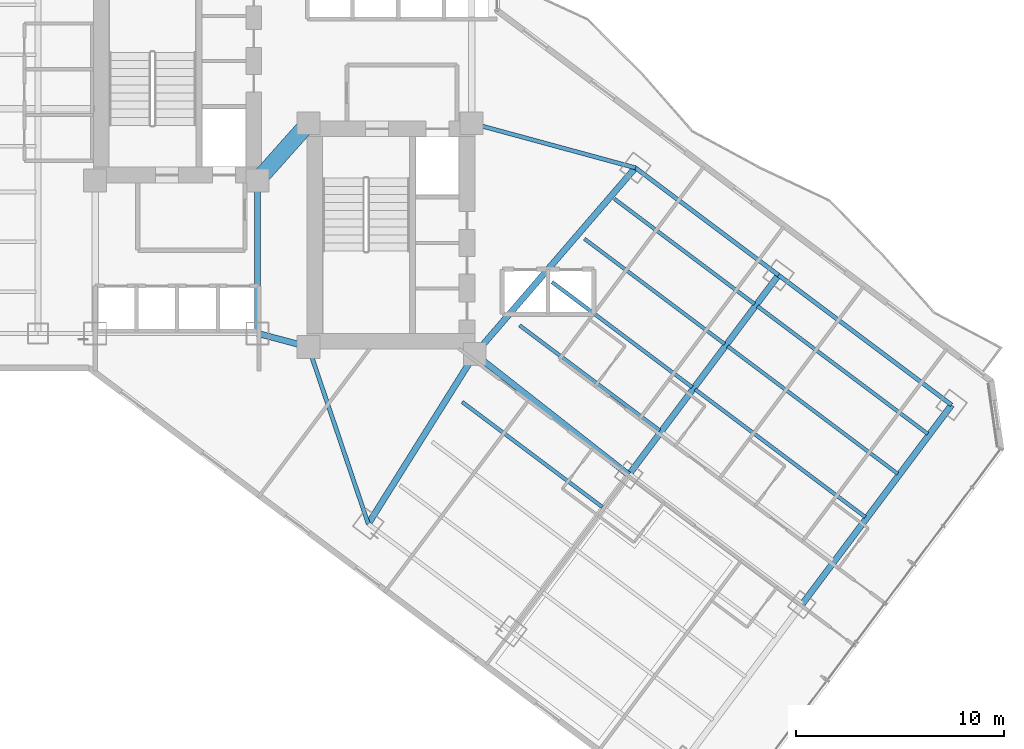
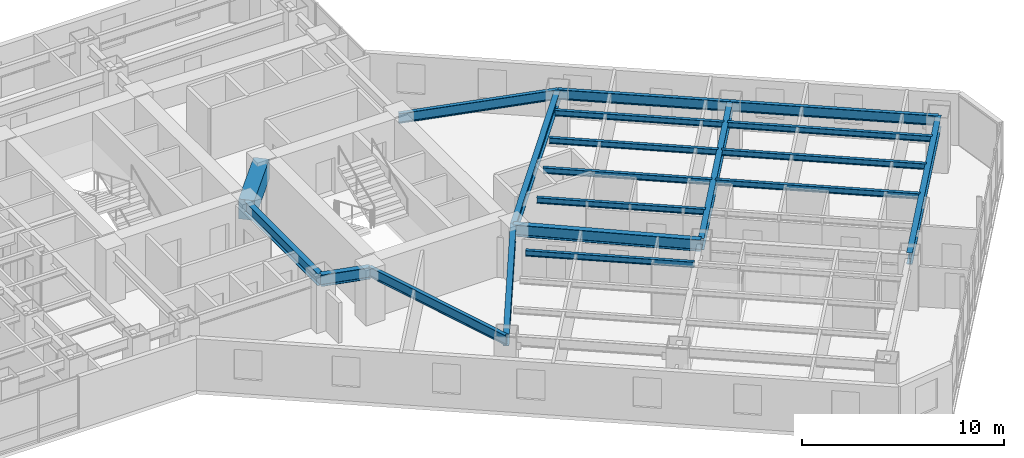
# One storey, part 11 of 37: 20 beams.
"""IFC4 building model written with IfcOpenShell, lengths in metres."""

import ifcopenshell
import ifcopenshell.guid

model = None  # the IFC model being written
_history = None  # IfcOwnerHistory: only IFC2X3 demands one
_inside = {}  # id of a spatial element -> (the spatial element, [elements in it])
_under = {}  # id of a project, library or spatial element -> (it, [spatial elements below it])
_declared = {}  # id of a project -> (the project, [libraries it declares])
_typed = {}  # id of a type object -> (the type object, [elements of that type])
_made_of = {}  # id of a material, layer set ... -> (it, [elements and type objects made of it])


def new_model(schema):
    """Start an empty IFC model of exactly this schema.

    Asked for "IFC4X3", IfcOpenShell would pick the latest addendum, in which some entities
    have other attributes; the version numbers below select the first issue.
    IFC2X3 requires an IfcOwnerHistory on every rooted entity: one is made here for all.
    """
    global model, _history
    if schema == "IFC4X3":
        model = ifcopenshell.file(schema_version=(4, 3, 0, 0))
    else:
        model = ifcopenshell.file(schema=schema)
    _inside.clear()
    _under.clear()
    _declared.clear()
    _typed.clear()
    _made_of.clear()
    _history = None
    if model.schema == "IFC2X3":
        org = make("IfcOrganization", Name="unknown")
        user = make(
            "IfcPersonAndOrganization",
            ThePerson=make("IfcPerson", FamilyName="unknown"),
            TheOrganization=org,
        )
        app = make(
            "IfcApplication",
            ApplicationDeveloper=org,
            Version="unknown",
            ApplicationFullName="unknown",
            ApplicationIdentifier="unknown",
        )
        _history = make(
            "IfcOwnerHistory",
            OwningUser=user,
            OwningApplication=app,
            ChangeAction="ADDED",
            CreationDate=0,
        )
    return model


def make(cls, **values):
    """One entity of the class cls with the attributes given. An attribute that is None is left unset."""
    return model.create_entity(
        cls, **{name: value for name, value in values.items() if value is not None}
    )


def rooted(cls, **values):
    """An entity with a GlobalId (a new one), such as an element, a storey or a relation."""
    return make(cls, GlobalId=ifcopenshell.guid.new(), OwnerHistory=_history, **values)


def si_unit(unit_type, name, prefix=None):
    """IfcSIUnit, for example si_unit("LENGTHUNIT", "METRE", prefix="MILLI")."""
    return make("IfcSIUnit", UnitType=unit_type, Prefix=prefix, Name=name)


def assignment(units):
    """IfcUnitAssignment: the units of a project."""
    return None if units is None else make("IfcUnitAssignment", Units=units)


def point(xyz):
    """IfcCartesianPoint."""
    return None if xyz is None else make("IfcCartesianPoint", Coordinates=xyz)


def direction(xyz):
    """IfcDirection."""
    return None if xyz is None else make("IfcDirection", DirectionRatios=xyz)


def frame(location, z_axis=None, x_axis=None):
    """IfcAxis2Placement3D, a coordinate frame: its origin and axes. An axis left out is left unset."""
    return make(
        "IfcAxis2Placement3D",
        Location=point(location),
        Axis=direction(z_axis),
        RefDirection=direction(x_axis),
    )


def frame_2d(location, x_axis=None):
    """IfcAxis2Placement2D, a coordinate frame in the plane: its origin and x axis."""
    return make(
        "IfcAxis2Placement2D", Location=point(location), RefDirection=direction(x_axis)
    )


def origin():
    """The frame at (0, 0, 0) with its axes left unset."""
    return frame((0.0, 0.0, 0.0))


def origin_2d():
    """The frame at (0, 0) in the plane with its x axis left unset."""
    return frame_2d((0.0, 0.0))


def place(relative_to, where):
    """IfcLocalPlacement: puts the frame where relative to a parent placement (None: the world)."""
    return make(
        "IfcLocalPlacement", PlacementRelTo=relative_to, RelativePlacement=where
    )


def context(
    kind, dimensions, precision=None, world=None, true_north=None, identifier=None
):
    """IfcGeometricRepresentationContext, for example the 3D "Model" context."""
    return make(
        "IfcGeometricRepresentationContext",
        ContextIdentifier=identifier,
        ContextType=kind,
        CoordinateSpaceDimension=dimensions,
        Precision=precision,
        WorldCoordinateSystem=world,
        TrueNorth=true_north,
    )


def subcontext(parent, identifier, kind, view, scale=None):
    """IfcGeometricRepresentationSubContext, for example "Body" below "Model"."""
    return make(
        "IfcGeometricRepresentationSubContext",
        ContextIdentifier=identifier,
        ContextType=kind,
        ParentContext=parent,
        TargetScale=scale,
        TargetView=view,
    )


def project(units=None, contexts=None):
    """IfcProject with its units and contexts."""
    return rooted(
        "IfcProject",
        Name="project",
        RepresentationContexts=contexts,
        UnitsInContext=assignment(units),
    )


def spatial(cls, under=None, at=None, **own):
    """A site, building, storey or space (cls), placed at a placement, below another one or the project."""
    s = rooted(cls, ObjectPlacement=at, **own)
    if under is not None:
        _under.setdefault(under.id(), (under, []))[1].append(s)
    return s


def profile(cls, at=None, kind="AREA", **sizes):
    """A parametric profile (cls). Its sizes go by their IFC names, for example OverallWidth=200.0."""
    return make(cls, ProfileType=kind, Position=at, **sizes)


def rectangle(**sizes):
    """IfcRectangleProfileDef."""
    return profile("IfcRectangleProfileDef", **sizes)


def i_section(**sizes):
    """IfcIShapeProfileDef."""
    return profile("IfcIShapeProfileDef", **sizes)


def extrude(swept, where, along, depth):
    """IfcExtrudedAreaSolid: the profile swept, set in the frame where, extruded along a direction by depth."""
    return make(
        "IfcExtrudedAreaSolid",
        SweptArea=swept,
        Position=where,
        ExtrudedDirection=direction(along),
        Depth=depth,
    )


def shape(context_of_items, identifier, shape_type, items):
    """IfcShapeRepresentation: the items that make up one representation, for example the "Body"."""
    return make(
        "IfcShapeRepresentation",
        ContextOfItems=context_of_items,
        RepresentationIdentifier=identifier,
        RepresentationType=shape_type,
        Items=items,
    )


def material(Name=None, Category=None):
    """IfcMaterial."""
    return make("IfcMaterial", Name=Name, Category=Category)


def material_profile(
    of_material, cross_section, Name=None, Category=None, Priority=None
):
    """IfcMaterialProfile: a cross section and its material."""
    return make(
        "IfcMaterialProfile",
        Name=Name,
        Material=of_material,
        Profile=cross_section,
        Priority=Priority,
        Category=Category,
    )


def profile_set(profiles, Name=None, composite=None):
    """IfcMaterialProfileSet."""
    return make(
        "IfcMaterialProfileSet",
        Name=Name,
        MaterialProfiles=profiles,
        CompositeProfile=composite,
    )


def made_of(thing, what):
    """Note that an element or type object is made of a material, layer set ...; save() writes the relation."""
    if what is not None:
        _made_of.setdefault(what.id(), (what, []))[1].append(thing)
    return thing


def type_object(cls, material=None, **own):
    """A type object (cls), such as IfcWallType, which elements share."""
    return made_of(rooted(cls, **own), material)


def element(
    cls,
    number,
    at=None,
    inside=None,
    cuts=None,
    type_object=None,
    material=None,
    context=None,
    identifier="Body",
    shape_type=None,
    held_by="IfcProductDefinitionShape",
    body=None,
    shapes=None,
    **own,
):
    """One element of the class cls, such as IfcWall. Its Tag is "e" and its number.

    at: its placement. inside: the storey or other place that contains it. cuts: it is an
    opening in that element (IfcRelVoidsElement). A single representation is given by context,
    identifier, shape_type and body (its items); several are given by shapes. held_by: the class
    of the entity that holds the representations. save() writes the other relations.
    """
    e = rooted(cls, Tag="e%d" % number, ObjectPlacement=at, **own)
    if body is not None:
        shapes = [shape(context, identifier, shape_type, body)]
    if shapes is not None:
        e.Representation = make(held_by, Representations=shapes)
    if inside is not None:
        _inside.setdefault(inside.id(), (inside, []))[1].append(e)
    if cuts is not None:
        rooted(
            "IfcRelVoidsElement", RelatingBuildingElement=cuts, RelatedOpeningElement=e
        )
    if type_object is not None:
        _typed.setdefault(type_object.id(), (type_object, []))[1].append(e)
    return made_of(e, material)


def aggregate(whole, parts):
    """IfcRelAggregates: a whole, such as a stair, and the parts it consists of."""
    return rooted("IfcRelAggregates", RelatingObject=whole, RelatedObjects=parts)


def save(model, path):
    """Write the relations noted so far, then the file.

    IfcRelAggregates (storeys below a building ...), IfcRelContainedInSpatialStructure (elements
    in a storey), IfcRelDefinesByType, IfcRelAssociatesMaterial and IfcRelDeclares: one each for
    every whole, place, type object, material and project.
    """
    for whole, parts in _under.values():
        aggregate(whole, parts)
    for where, things in _inside.values():
        rooted(
            "IfcRelContainedInSpatialStructure",
            RelatedElements=things,
            RelatingStructure=where,
        )
    for kind, things in _typed.values():
        rooted("IfcRelDefinesByType", RelatedObjects=things, RelatingType=kind)
    for what, things in _made_of.values():
        rooted("IfcRelAssociatesMaterial", RelatedObjects=things, RelatingMaterial=what)
    for by, libraries in _declared.values():
        rooted("IfcRelDeclares", RelatingContext=by, RelatedDefinitions=libraries)
    model.write(path)


model = new_model("IFC4")

# Units and contexts
model_context = context("Model", 3, precision=1e-05, world=origin(), true_north=direction((0.0, 1.0)))
body_context = subcontext(model_context, "Body", "Model", "MODEL_VIEW")
ifc_project = project(units=[si_unit("LENGTHUNIT", "METRE"), si_unit("AREAUNIT", "SQUARE_METRE"), si_unit("VOLUMEUNIT", "CUBIC_METRE"), si_unit("PLANEANGLEUNIT", "RADIAN"), si_unit("MASSUNIT", "GRAM", prefix="KILO")], contexts=[model_context])

# Site, building, storey
site_placement = place(None, origin())
site = spatial("IfcSite", under=ifc_project, at=site_placement, CompositionType="ELEMENT")
building_placement = place(site_placement, origin())
building = spatial("IfcBuilding", under=site, at=building_placement, Name="Hatsunagi Terrace Concourse", CompositionType="ELEMENT")
storey_placement = place(building_placement, frame((0.0, 0.0, 50.0)))
storey = spatial("IfcBuildingStorey", under=building, at=storey_placement, Name="L12", CompositionType="ELEMENT", Elevation=50.0)

# Beams
ifc_material_1 = material(Name="Concrete Fc60", Category="concrete")
ifc_material_profile_1 = material_profile(ifc_material_1, rectangle(XDim=0.800048828125, YDim=1.199951171875, at=origin_2d()), Name="RC-800x1200")
ifc_profile_set_1 = profile_set([ifc_material_profile_1], Name="Concrete Fc60")
beam_type_1 = type_object("IfcBeamType", Name="CoreCouplingBeam_RC_800x1200", PredefinedType="BEAM", material=ifc_profile_set_1)
beam_1_placement = place(storey_placement, frame((33.35009765625, 32.550048828125, 2.530029296875), z_axis=(0.665198651008, 0.746666427997, 0.0), x_axis=(-0.746666427997, 0.665198651008, 0.0)))
element("IfcBeam", 1, at=beam_1_placement, inside=storey, type_object=beam_type_1, Name="Beam CB-01 CB-L12-1", PredefinedType="BEAM", context=body_context, shape_type="SweptSolid", body=[
    extrude(rectangle(XDim=0.800048828125, YDim=1.199951171875, at=origin_2d()), origin(), (0.0, 0.0, 1.0), 3.68310546875),
])
ifc_material_2 = material(Name="Steel SN490B", Category="steel")
ifc_material_profile_2 = material_profile(ifc_material_2, i_section(OverallWidth=0.300048828125, OverallDepth=0.699951171875, WebThickness=0.012939453125, FlangeThickness=0.02392578125, FilletRadius=0.02197265625, at=origin_2d()), Name="H-700x300x13x24")
ifc_profile_set_2 = profile_set([ifc_material_profile_2], Name="Steel SN490B")
beam_type_2 = type_object("IfcBeamType", Name="HotelFloorGirder_H_700x300", PredefinedType="BEAM", material=ifc_profile_set_2)
beam_2_placement = place(storey_placement, frame((33.35009765625, 25.199951171875, 2.780029296875), z_axis=(0.0, 1.0, 0.0), x_axis=(-1.0, 0.0, 0.0)))
element("IfcBeam", 2, at=beam_2_placement, inside=storey, type_object=beam_type_2, Name="Beam G-04 BM-L12-K2CA", PredefinedType="BEAM", context=body_context, shape_type="SweptSolid", body=[
    extrude(i_section(OverallWidth=0.300048828125, OverallDepth=0.699951171875, WebThickness=0.012939453125, FlangeThickness=0.02392578125, FilletRadius=0.02197265625, at=origin_2d()), origin(), (0.0, 0.0, 1.0), 7.35009765625),
])
beam_3_placement = place(storey_placement, frame((33.35009765625, 25.199951171875, 2.780029296875), z_axis=(0.966569840116, -0.256403479262, 0.0), x_axis=(0.256403479262, 0.966569840116, 0.0)))
element("IfcBeam", 3, at=beam_3_placement, inside=storey, type_object=beam_type_2, Name="Beam G-04 BM-L12-K2CB", PredefinedType="BEAM", context=body_context, shape_type="SweptSolid", body=[
    extrude(i_section(OverallWidth=0.300048828125, OverallDepth=0.699951171875, WebThickness=0.012939453125, FlangeThickness=0.02392578125, FilletRadius=0.02197265625, at=origin_2d()), origin(), (0.0, 0.0, 1.0), 2.53466796875),
])
beam_4_placement = place(storey_placement, frame((38.679931640625, 16.0400390625, 2.780029296875), z_axis=(0.531503907049, 0.847055840421, 0.0), x_axis=(-0.847055840421, 0.531503907049, 0.0)))
element("IfcBeam", 4, at=beam_4_placement, inside=storey, type_object=beam_type_2, Name="Beam G-04 BM-L12-SET-1A", PredefinedType="BEAM", context=body_context, shape_type="SweptSolid", body=[
    extrude(i_section(OverallWidth=0.300048828125, OverallDepth=0.699951171875, WebThickness=0.012939453125, FlangeThickness=0.02392578125, FilletRadius=0.02197265625, at=origin_2d()), origin(), (0.0, 0.0, 1.0), 9.63330078125),
])
beam_5_placement = place(storey_placement, frame((43.800048828125, 24.199951171875, 2.780029296875), z_axis=(0.652739101421, 0.757582777969, 0.0), x_axis=(-0.757582777969, 0.652739101421, 0.0)))
element("IfcBeam", 5, at=beam_5_placement, inside=storey, type_object=beam_type_2, Name="Beam G-04 BM-L12-SET-1B", PredefinedType="BEAM", context=body_context, shape_type="SweptSolid", body=[
    extrude(i_section(OverallWidth=0.300048828125, OverallDepth=0.699951171875, WebThickness=0.012939453125, FlangeThickness=0.02392578125, FilletRadius=0.02197265625, at=origin_2d()), origin(), (0.0, 0.0, 1.0), 11.8271484375),
])
beam_6_placement = place(storey_placement, frame((43.800048828125, 24.199951171875, 2.780029296875), z_axis=(0.787049441068, -0.616889923175, 0.0), x_axis=(0.616889923175, 0.787049441068, 0.0)))
element("IfcBeam", 6, at=beam_6_placement, inside=storey, type_object=beam_type_2, Name="Beam G-04 BM-L12-SE-M2", PredefinedType="BEAM", context=body_context, shape_type="SweptSolid", body=[
    extrude(i_section(OverallWidth=0.300048828125, OverallDepth=0.699951171875, WebThickness=0.012939453125, FlangeThickness=0.02392578125, FilletRadius=0.02197265625, at=origin_2d()), origin(), (0.0, 0.0, 1.0), 9.402099609375),
])
for number, where, z_axis, x_axis, name in (
    (7, (51.199951171875, 18.39990234375, 2.780029296875), (0.59999348959, 0.800004882766, 0.0), (-0.800004882766, 0.59999348959, 0.0), "Beam G-04 BM-L12-SET-2B"),
    (8, (59.52001953125, 12.159912109375, 2.780029296875), (0.59999348959, 0.800004882766, 0.0), (-0.800004882766, 0.59999348959, 0.0), "Beam G-04 BM-L12-SET-3B"),
):
    element("IfcBeam", number, at=place(storey_placement, frame(where, z_axis=z_axis, x_axis=x_axis)), inside=storey, type_object=beam_type_2, Name=name, PredefinedType="BEAM", context=body_context, shape_type="SweptSolid", body=[
        extrude(i_section(OverallWidth=0.300048828125, OverallDepth=0.699951171875, WebThickness=0.012939453125, FlangeThickness=0.02392578125, FilletRadius=0.02197265625, at=origin_2d()), origin(), (0.0, 0.0, 1.0), 12.0),
    ])
ifc_material_3 = material(Name="Steel SN490B", Category="steel")
ifc_material_profile_3 = material_profile(ifc_material_3, i_section(OverallWidth=0.175048828125, OverallDepth=0.35009765625, WebThickness=0.007080078125, FlangeThickness=0.010986328125, FilletRadius=0.012939453125, at=origin_2d()), Name="H-350x175x7x11")
ifc_profile_set_3 = profile_set([ifc_material_profile_3], Name="Steel SN490B")
beam_type_3 = type_object("IfcBeamType", Name="HotelJoist_H_350x175", PredefinedType="JOIST", material=ifc_profile_set_3)
for number, where, z_axis, x_axis, name in (
    (9, (43.18798828125, 21.908935546875, 2.955078125), (0.800003475366, -0.59999536615, 0.0), (0.59999536615, 0.800003475366, 0.0), "Beam J-02 J-L12-SE-2-96"),
    (10, (45.947998046875, 25.589111328125, 2.955078125), (0.799989573921, -0.600013901187, 0.0), (0.600013901187, 0.799989573921, 0.0), "Beam J-02 J-L12-SE-2-142"),
    (11, (47.508056640625, 27.6689453125, 2.955078125), (0.800003475366, -0.59999536615, 0.0), (0.59999536615, 0.800003475366, 0.0), "Beam J-02 J-L12-SE-2-168"),
    (12, (49.068115234375, 29.7490234375, 2.955078125), (0.799989573921, -0.600013901187, 0.0), (0.600013901187, 0.799989573921, 0.0), "Beam J-02 J-L12-SE-2-194"),
    (13, (50.508056640625, 31.6689453125, 2.955078125), (0.800003475366, -0.59999536615, 0.0), (0.59999536615, 0.800003475366, 0.0), "Beam J-02 J-L12-SE-2-218"),
):
    element("IfcBeam", number, at=place(storey_placement, frame(where, z_axis=z_axis, x_axis=x_axis)), inside=storey, type_object=beam_type_3, Name=name, PredefinedType="JOIST", context=body_context, shape_type="SweptSolid", body=[
        extrude(i_section(OverallWidth=0.175048828125, OverallDepth=0.35009765625, WebThickness=0.007080078125, FlangeThickness=0.010986328125, FilletRadius=0.012939453125, at=origin_2d()), origin(), (0.0, 0.0, 1.0), 8.429931640625),
    ])
beam_7_placement = place(storey_placement, frame((54.387939453125, 22.509033203125, 2.955078125), z_axis=(0.800005727586, -0.599992363142, 0.0), x_axis=(0.599992363142, 0.800005727586, 0.0)))
element("IfcBeam", 14, at=beam_7_placement, inside=storey, type_object=beam_type_3, Name="Beam J-02 J-L12-SE-3-168", PredefinedType="JOIST", context=body_context, shape_type="SweptSolid", body=[
    extrude(i_section(OverallWidth=0.175048828125, OverallDepth=0.35009765625, WebThickness=0.007080078125, FlangeThickness=0.010986328125, FilletRadius=0.012939453125, at=origin_2d()), origin(), (0.0, 0.0, 1.0), 10.22998046875),
])
beam_8_placement = place(storey_placement, frame((55.947998046875, 24.589111328125, 2.955078125), z_axis=(0.799994272423, -0.600007636694, 0.0), x_axis=(0.600007636694, 0.799994272423, 0.0)))
element("IfcBeam", 15, at=beam_8_placement, inside=storey, type_object=beam_type_3, Name="Beam J-02 J-L12-SE-3-194", PredefinedType="JOIST", context=body_context, shape_type="SweptSolid", body=[
    extrude(i_section(OverallWidth=0.175048828125, OverallDepth=0.35009765625, WebThickness=0.007080078125, FlangeThickness=0.010986328125, FilletRadius=0.012939453125, at=origin_2d()), origin(), (0.0, 0.0, 1.0), 10.230224609375),
])
beam_9_placement = place(storey_placement, frame((57.387939453125, 26.509033203125, 2.955078125), z_axis=(0.800005727586, -0.599992363142, 0.0), x_axis=(0.599992363142, 0.800005727586, 0.0)))
element("IfcBeam", 16, at=beam_9_placement, inside=storey, type_object=beam_type_3, Name="Beam J-02 J-L12-SE-3-218", PredefinedType="JOIST", context=body_context, shape_type="SweptSolid", body=[
    extrude(i_section(OverallWidth=0.175048828125, OverallDepth=0.35009765625, WebThickness=0.007080078125, FlangeThickness=0.010986328125, FilletRadius=0.012939453125, at=origin_2d()), origin(), (0.0, 0.0, 1.0), 10.22998046875),
])
ifc_material_4 = material(Name="Steel SN490B", Category="steel")
ifc_material_profile_4 = material_profile(ifc_material_4, i_section(OverallWidth=0.199951171875, OverallDepth=0.60009765625, WebThickness=0.010986328125, FlangeThickness=0.01708984375, FilletRadius=0.01806640625, at=origin_2d()), Name="H-600x200x11x17")
ifc_profile_set_4 = profile_set([ifc_material_profile_4], Name="Steel SN490B")
beam_type_4 = type_object("IfcBeamType", Name="PerimeterSpandrel_H_600x200", PredefinedType="SPANDREL", material=ifc_profile_set_4)
beam_10_placement = place(storey_placement, frame((35.800048828125, 24.550048828125, 2.830078125), z_axis=(0.320553412271, -0.947230441805, 0.0), x_axis=(0.947230441805, 0.320553412271, 0.0)))
element("IfcBeam", 17, at=beam_10_placement, inside=storey, type_object=beam_type_4, Name="Beam SP-01 BM-L12-SE-SW0", PredefinedType="SPANDREL", context=body_context, shape_type="SweptSolid", body=[
    extrude(i_section(OverallWidth=0.199951171875, OverallDepth=0.60009765625, WebThickness=0.010986328125, FlangeThickness=0.01708984375, FilletRadius=0.01806640625, at=origin_2d()), origin(), (0.0, 0.0, 1.0), 8.984130859375),
])
beam_11_placement = place(storey_placement, frame((43.64990234375, 35.300048828125, 2.830078125), z_axis=(0.964958359286, -0.262403057994, 0.0), x_axis=(0.262403057994, 0.964958359286, 0.0)))
element("IfcBeam", 18, at=beam_11_placement, inside=storey, type_object=beam_type_4, Name="Beam SP-01 BM-L12-SE-NE0", PredefinedType="SPANDREL", context=body_context, shape_type="SweptSolid", body=[
    extrude(i_section(OverallWidth=0.199951171875, OverallDepth=0.60009765625, WebThickness=0.010986328125, FlangeThickness=0.01708984375, FilletRadius=0.01806640625, at=origin_2d()), origin(), (0.0, 0.0, 1.0), 8.156005859375),
])
beam_12_placement = place(storey_placement, frame((51.52001953125, 33.159912109375, 2.830078125), z_axis=(0.8, -0.6, 0.0), x_axis=(0.6, 0.8, 0.0)))
element("IfcBeam", 19, at=beam_12_placement, inside=storey, type_object=beam_type_4, Name="Beam SP-01 BM-L12-SE-NE2", PredefinedType="SPANDREL", context=body_context, shape_type="SweptSolid", body=[
    extrude(i_section(OverallWidth=0.199951171875, OverallDepth=0.60009765625, WebThickness=0.010986328125, FlangeThickness=0.01708984375, FilletRadius=0.01806640625, at=origin_2d()), origin(), (0.0, 0.0, 1.0), 8.599853515625),
])
beam_13_placement = place(storey_placement, frame((58.39990234375, 28.0, 2.830078125), z_axis=(0.800002816985, -0.599996244001, 0.0), x_axis=(0.599996244001, 0.800002816985, 0.0)))
element("IfcBeam", 20, at=beam_13_placement, inside=storey, type_object=beam_type_4, Name="Beam SP-01 BM-L12-SE-NE3", PredefinedType="SPANDREL", context=body_context, shape_type="SweptSolid", body=[
    extrude(i_section(OverallWidth=0.199951171875, OverallDepth=0.60009765625, WebThickness=0.010986328125, FlangeThickness=0.01708984375, FilletRadius=0.01806640625, at=origin_2d()), origin(), (0.0, 0.0, 1.0), 10.400146484375),
])

save(model, "model.ifc")
